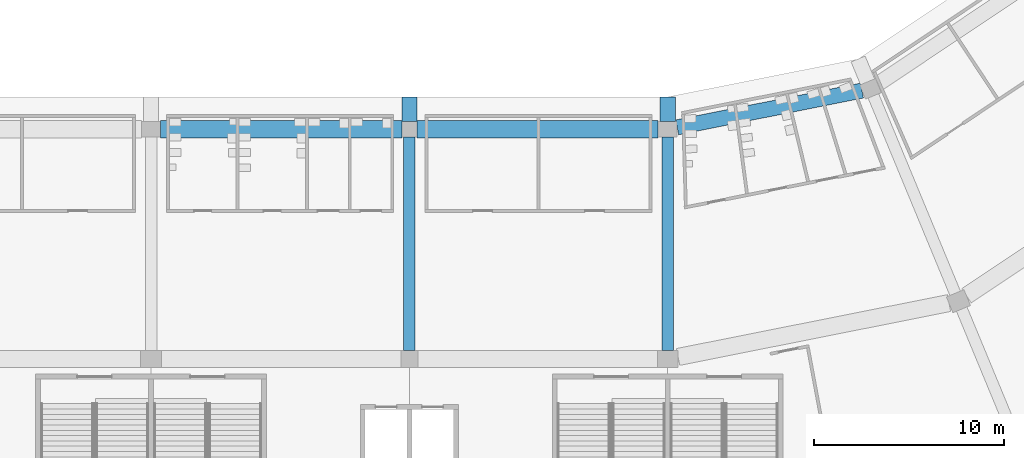
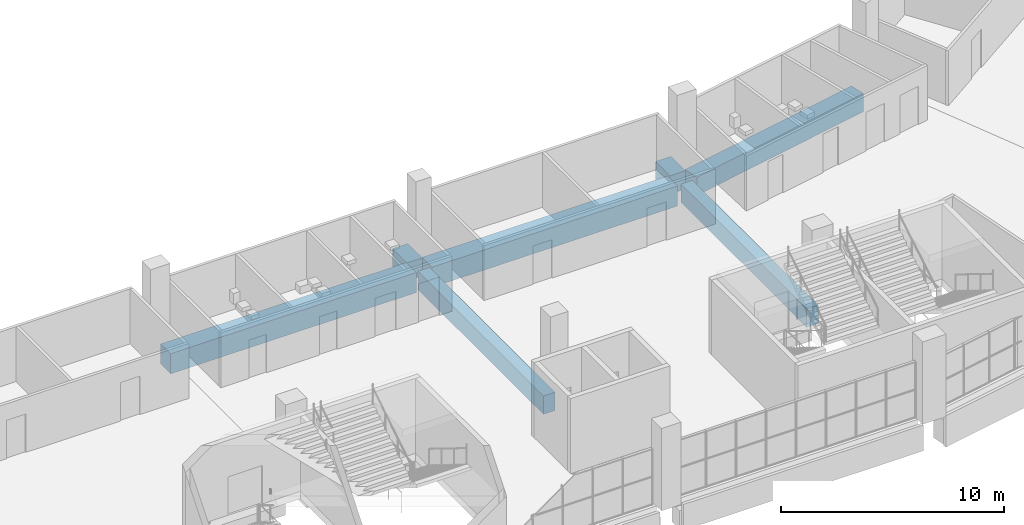
# One storey, part 16 of 199: 7 beams.
"""IFC4 building model written with IfcOpenShell, lengths in metres."""

from ifc_helpers import new_model, si_unit, direction, frame, origin, origin_2d, place, context, subcontext, project, spatial, rectangle, extrude, material, material_profile, profile_set, type_object, element, save


model = new_model("IFC4")

# Units and contexts
model_context = context("Model", 3, precision=1e-05, world=origin(), true_north=direction((0.0, 1.0)))
body_context = subcontext(model_context, "Body", "Model", "MODEL_VIEW")
ifc_project = project(units=[si_unit("LENGTHUNIT", "METRE"), si_unit("AREAUNIT", "SQUARE_METRE"), si_unit("VOLUMEUNIT", "CUBIC_METRE"), si_unit("PLANEANGLEUNIT", "RADIAN"), si_unit("MASSUNIT", "GRAM", prefix="KILO")], contexts=[model_context])

# Site, building, storey
site_placement = place(None, origin())
site = spatial("IfcSite", under=ifc_project, at=site_placement, CompositionType="ELEMENT")
building_placement = place(site_placement, origin())
building = spatial("IfcBuilding", under=site, at=building_placement, Name="Ogive Plaza Stadium", CompositionType="ELEMENT")
storey_placement = place(building_placement, frame((0.0, 0.0, 4.5)))
storey = spatial("IfcBuildingStorey", under=building, at=storey_placement, Name="L01", CompositionType="ELEMENT", Elevation=4.5)

# Beams
ifc_material_1 = material(Name="Concrete C40/50", Category="concrete")
ifc_material_profile_1 = material_profile(ifc_material_1, rectangle(XDim=0.60009765625, YDim=1.0, at=origin_2d()), Name="RC 600x1000")
ifc_profile_set_1 = profile_set([ifc_material_profile_1], Name="Concrete C40/50")
beam_type_1 = type_object("IfcBeamType", Name="RC radial beam 600x1000", PredefinedType="BEAM", material=ifc_profile_set_1)
for number, where, z_axis, x_axis, name in (
    (1, (34.0, -80.800048828125, -0.909912109375), (0.0, -1.0, 0.0), (1.0, 0.0, 0.0), "Radial beam L01 R12 F3F4"),
    (2, (20.39990234375, -80.800048828125, -0.909912109375), (0.0, -1.0, 0.0), (1.0, 0.0, 0.0), "Radial beam L01 R13 F3F4"),
):
    element("IfcBeam", number, at=place(storey_placement, frame(where, z_axis=z_axis, x_axis=x_axis)), inside=storey, type_object=beam_type_1, Name=name, PredefinedType="BEAM", context=body_context, shape_type="SweptSolid", body=[
        extrude(rectangle(XDim=0.60009765625, YDim=1.0, at=origin_2d()), origin(), (0.0, 0.0, 1.0), 11.25),
    ])
ifc_material_2 = material(Name="Concrete C40/50", Category="concrete")
ifc_material_profile_2 = material_profile(ifc_material_2, rectangle(XDim=0.800048828125, YDim=1.0, at=origin_2d()), Name="RC 800x1000")
ifc_profile_set_2 = profile_set([ifc_material_profile_2], Name="Concrete C40/50")
beam_type_2 = type_object("IfcBeamType", Name="RC radial beam 800x1000", PredefinedType="BEAM", material=ifc_profile_set_2)
for number, where, z_axis, x_axis, name in (
    (3, (34.0, -78.699951171875, -0.909912109375), (0.0, -1.0, 0.0), (1.0, 0.0, 0.0), "Raker tail beam LT R12"),
    (4, (20.39990234375, -78.699951171875, -0.909912109375), (0.0, -1.0, 0.0), (1.0, 0.0, 0.0), "Raker tail beam LT R13"),
):
    element("IfcBeam", number, at=place(storey_placement, frame(where, z_axis=z_axis, x_axis=x_axis)), inside=storey, type_object=beam_type_2, Name=name, PredefinedType="BEAM", context=body_context, shape_type="SweptSolid", body=[
        extrude(rectangle(XDim=0.800048828125, YDim=1.0, at=origin_2d()), origin(), (0.0, 0.0, 1.0), 1.300048828125),
    ])
ifc_material_3 = material(Name="Concrete C40/50", Category="concrete")
ifc_material_profile_3 = material_profile(ifc_material_3, rectangle(XDim=0.800048828125, YDim=1.0, at=origin_2d()), Name="RC 800x1000")
ifc_profile_set_3 = profile_set([ifc_material_profile_3], Name="Concrete C40/50")
beam_type_3 = type_object("IfcBeamType", Name="RC ring beam 800x1000", PredefinedType="BEAM", material=ifc_profile_set_3)
beam_placement = place(storey_placement, frame((44.226806640625, -78.36572265625, -0.909912109375), z_axis=(-0.980784656884, -0.195093456635, 0.0), x_axis=(0.195093456635, -0.980784656884, 0.0)))
element("IfcBeam", 5, at=beam_placement, inside=storey, type_object=beam_type_3, Name="Ring beam F3 L01 B11", PredefinedType="BEAM", context=body_context, shape_type="SweptSolid", body=[
    extrude(rectangle(XDim=0.800048828125, YDim=1.0, at=origin_2d()), origin(), (0.0, 0.0, 1.0), 9.91748046875),
])
ifc_material_4 = material(Name="Concrete C40/50", Category="concrete")
ifc_material_profile_4 = material_profile(ifc_material_4, rectangle(XDim=0.89990234375, YDim=1.10009765625, at=origin_2d()), Name="RC 900x1100")
ifc_profile_set_4 = profile_set([ifc_material_profile_4], Name="Concrete C40/50")
beam_type_4 = type_object("IfcBeamType", Name="RC ring beam 900x1100", PredefinedType="BEAM", material=ifc_profile_set_4)
for number, where, z_axis, x_axis, name in (
    (6, (33.5, -80.39990234375, -0.9599609375), (-1.0, 0.0, 0.0), (0.0, -1.0, 0.0), "Ring beam F3 L01 B12"),
    (7, (20.0, -80.39990234375, -0.9599609375), (-1.0, 0.0, 0.0), (0.0, -1.0, 0.0), "Ring beam F3 L01 B13"),
):
    element("IfcBeam", number, at=place(storey_placement, frame(where, z_axis=z_axis, x_axis=x_axis)), inside=storey, type_object=beam_type_4, Name=name, PredefinedType="BEAM", context=body_context, shape_type="SweptSolid", body=[
        extrude(rectangle(XDim=0.89990234375, YDim=1.10009765625, at=origin_2d()), origin(), (0.0, 0.0, 1.0), 12.699951171875),
    ])

save(model, "model.ifc")
